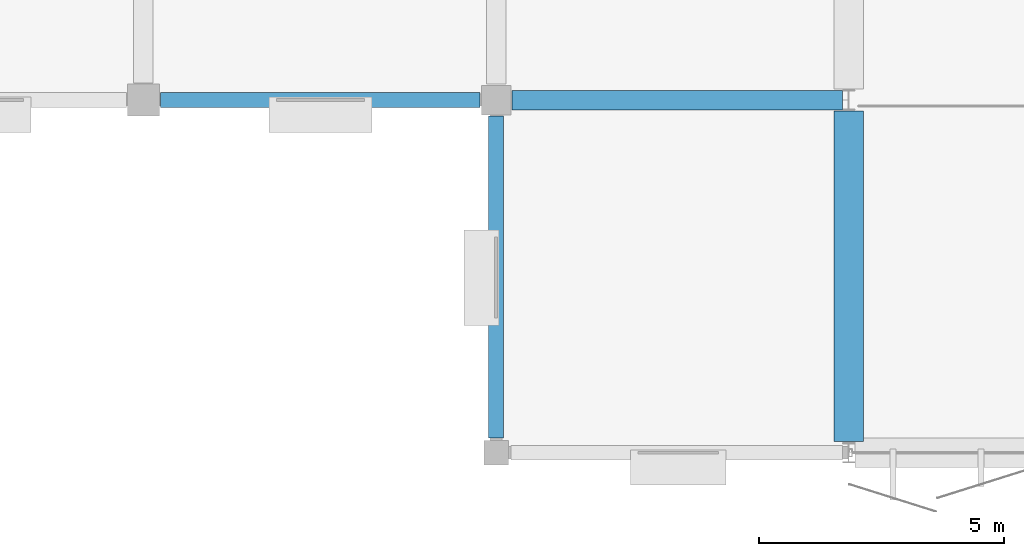
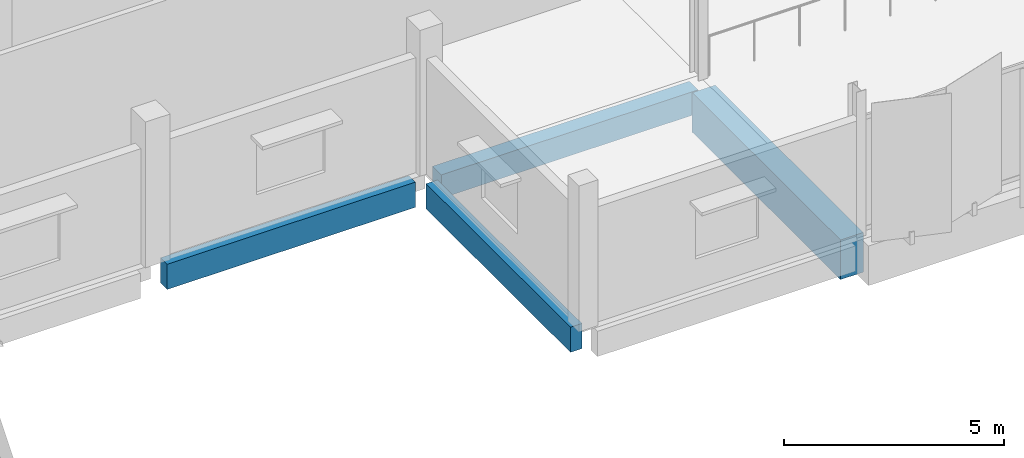
# One storey, part 29 of 107: 4 beams.
"""IFC4 building model written with IfcOpenShell, lengths in metres."""

from ifc_helpers import new_model, si_unit, direction, frame, origin, origin_2d, place, context, subcontext, project, spatial, rectangle, extrude, material, material_profile, profile_set, type_object, element, save


model = new_model("IFC4")

# Units and contexts
model_context = context("Model", 3, precision=1e-05, world=origin(), true_north=direction((0.0, 1.0)))
body_context = subcontext(model_context, "Body", "Model", "MODEL_VIEW")
ifc_project = project(units=[si_unit("LENGTHUNIT", "METRE"), si_unit("AREAUNIT", "SQUARE_METRE"), si_unit("VOLUMEUNIT", "CUBIC_METRE"), si_unit("PLANEANGLEUNIT", "RADIAN"), si_unit("MASSUNIT", "GRAM", prefix="KILO")], contexts=[model_context])

# Site, building, storey
site_placement = place(None, origin())
site = spatial("IfcSite", under=ifc_project, at=site_placement, CompositionType="ELEMENT")
building_placement = place(site_placement, origin())
building = spatial("IfcBuilding", under=site, at=building_placement, Name="Kangsadwip Square Police Headquarters", CompositionType="ELEMENT")
storey_placement = place(building_placement, frame((0.0, 0.0, 5.39990234375)))
storey = spatial("IfcBuildingStorey", under=building, at=storey_placement, Name="L01", CompositionType="ELEMENT", Elevation=5.39990234375)

# Beams
ifc_material_1 = material(Name="Concrete M35 (35 MPa)", Category="concrete")
ifc_material_profile_1 = material_profile(ifc_material_1, rectangle(XDim=0.39990234375, YDim=0.64990234375, at=origin_2d()), Name="RC BM 650X400")
ifc_profile_set_1 = profile_set([ifc_material_profile_1], Name="Concrete M35 (35 MPa)")
beam_type_1 = type_object("IfcBeamType", Name="RcBeam650x400", PredefinedType="BEAM", material=ifc_profile_set_1)
beam_1_placement = place(storey_placement, frame((36.324951171875, 93.60009765625, -0.56494140625), z_axis=(1.0, 0.0, 0.0), x_axis=(0.0, 1.0, 0.0)))
element("IfcBeam", 1, at=beam_1_placement, inside=storey, type_object=beam_type_1, Name="Beam BM-L01-X-05-13", PredefinedType="BEAM", context=body_context, shape_type="SweptSolid", body=[
    extrude(rectangle(XDim=0.39990234375, YDim=0.64990234375, at=origin_2d()), origin(), (0.0, 0.0, 1.0), 6.75),
])
ifc_material_2 = material(Name="Concrete M40 (40 MPa)", Category="concrete")
ifc_material_profile_2 = material_profile(ifc_material_2, rectangle(XDim=0.300048828125, YDim=0.699951171875, at=origin_2d()), Name="RC SPN 700X300")
ifc_profile_set_2 = profile_set([ifc_material_profile_2], Name="Concrete M40 (40 MPa)")
beam_type_2 = type_object("IfcBeamType", Name="RcSpandrel700x300", PredefinedType="SPANDREL", material=ifc_profile_set_2)
beam_2_placement = place(storey_placement, frame((29.14990234375, 93.60009765625, -0.58984375), z_axis=(1.0, 0.0, 0.0), x_axis=(0.0, 1.0, 0.0)))
element("IfcBeam", 2, at=beam_2_placement, inside=storey, type_object=beam_type_2, Name="Beam BM-L01-X-04-13", PredefinedType="SPANDREL", context=body_context, shape_type="SweptSolid", body=[
    extrude(rectangle(XDim=0.300048828125, YDim=0.699951171875, at=origin_2d()), origin(), (0.0, 0.0, 1.0), 6.525146484375),
])
beam_3_placement = place(storey_placement, frame((36.0, 86.699951171875, -0.58984375), z_axis=(0.0, 1.0, 0.0), x_axis=(-1.0, 0.0, 0.0)))
element("IfcBeam", 3, at=beam_3_placement, inside=storey, type_object=beam_type_2, Name="Beam BM-L01-Y-05-12", PredefinedType="SPANDREL", context=body_context, shape_type="SweptSolid", body=[
    extrude(rectangle(XDim=0.300048828125, YDim=0.699951171875, at=origin_2d()), origin(), (0.0, 0.0, 1.0), 6.574951171875),
])
ifc_material_3 = material(Name="Concrete M40 (40 MPa)", Category="concrete")
ifc_material_profile_3 = material_profile(ifc_material_3, rectangle(XDim=0.60009765625, YDim=1.10009765625, at=origin_2d()), Name="RC TG 1100X600")
ifc_profile_set_3 = profile_set([ifc_material_profile_3], Name="Concrete M40 (40 MPa)")
beam_type_3 = type_object("IfcBeamType", Name="RcTransfer1100x600", PredefinedType="USERDEFINED", material=ifc_profile_set_3)
beam_4_placement = place(storey_placement, frame((43.199951171875, 86.625, -0.789794921875), z_axis=(0.0, 1.0, 0.0), x_axis=(-1.0, 0.0, 0.0)))
element("IfcBeam", 4, at=beam_4_placement, inside=storey, type_object=beam_type_3, Name="Beam BM-L01-Y-06-12", ObjectType="TRANSFER_GIRDER", PredefinedType="USERDEFINED", context=body_context, shape_type="SweptSolid", body=[
    extrude(rectangle(XDim=0.60009765625, YDim=1.10009765625, at=origin_2d()), origin(), (0.0, 0.0, 1.0), 6.75),
])

save(model, "model.ifc")
